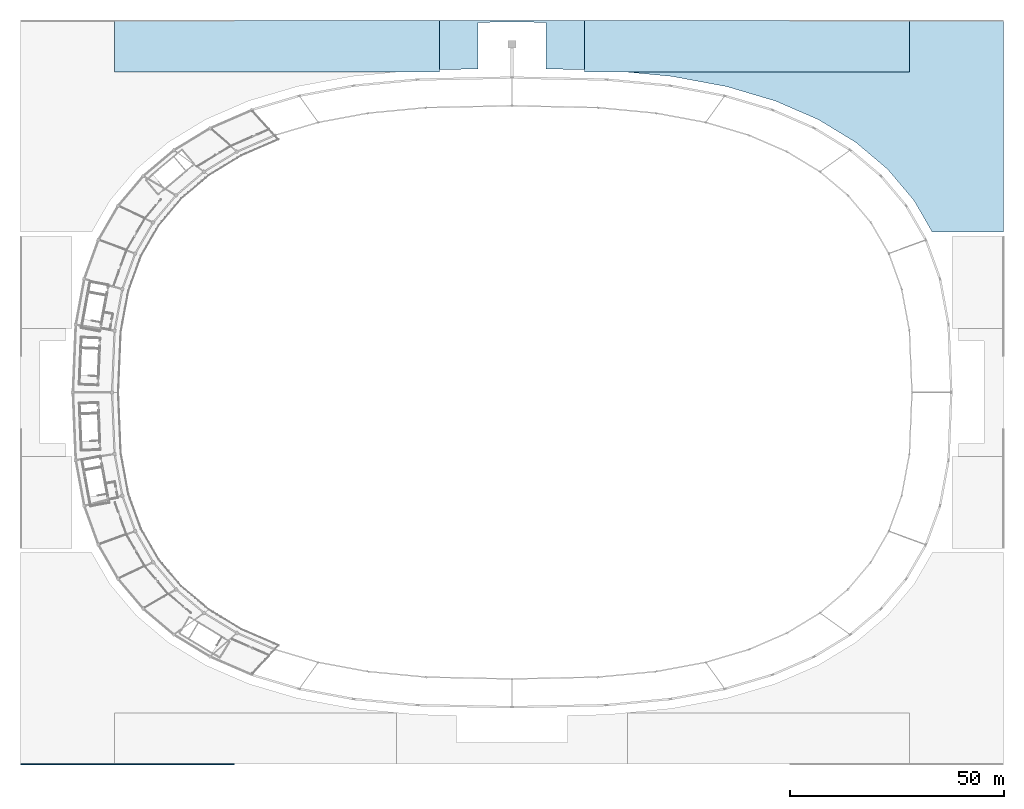
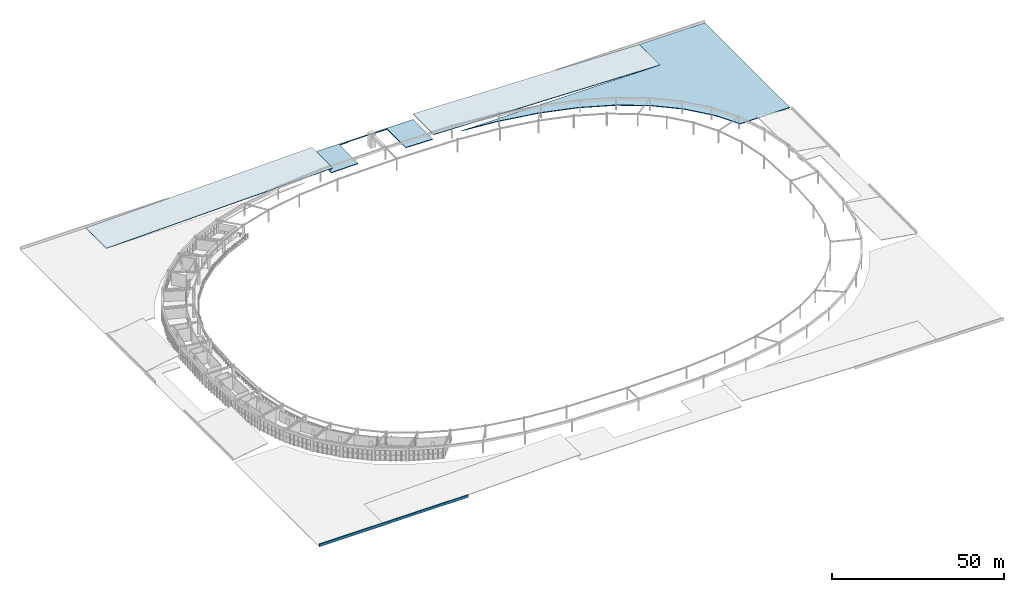
# One storey, part 36 of 45: 4 slabs, 1 wall, 1 element without a shape of its own.
"""IFC4 building model written with IfcOpenShell, lengths in metres."""

from ifc_helpers import new_model, si_unit, direction, frame, frame_2d, origin, place, context, subcontext, project, spatial, polyline, rectangle, outline, extrude, material, layer, layer_set, type_object, element, aggregate, save


model = new_model("IFC4")

# Units and contexts
model_context = context("Model", 3, precision=1e-05, world=origin(), true_north=direction((0.0, 1.0)))
body_context = subcontext(model_context, "Body", "Model", "MODEL_VIEW")
ifc_project = project(units=[si_unit("LENGTHUNIT", "METRE"), si_unit("AREAUNIT", "SQUARE_METRE"), si_unit("VOLUMEUNIT", "CUBIC_METRE"), si_unit("PLANEANGLEUNIT", "RADIAN"), si_unit("MASSUNIT", "GRAM", prefix="KILO")], contexts=[model_context])

# Site, building, storey
site_placement = place(None, origin())
site = spatial("IfcSite", under=ifc_project, at=site_placement, CompositionType="ELEMENT")
building_placement = place(site_placement, origin())
building = spatial("IfcBuilding", under=site, at=building_placement, Name="Mphavela Belvedere Stadium", CompositionType="ELEMENT")
storey_placement = place(building_placement, frame((0.0, 0.0, 24.0)))
storey = spatial("IfcBuildingStorey", under=building, at=storey_placement, Name="L05", CompositionType="ELEMENT", Elevation=24.0)

# Roof, slabs
ifc_material_1 = material(Name="Standing-seam zinc roofing membrane")
roof_type = type_object("IfcRoofType", Name="ROOF-PEDIMENT-ASSY", PredefinedType="GABLE_ROOF", material=ifc_material_1)
roof_placement = place(storey_placement, origin())
roof = element("IfcRoof", 1, at=roof_placement, inside=storey, type_object=roof_type, Name="North Mast and Ceremonial End Forecourt classical pediment roof", PredefinedType="GABLE_ROOF")
ifc_material_2 = material(Name="Standing-seam zinc insulated roof over Concrete C40/50", Category="concrete")
ifc_layer_1 = layer(ifc_material_2, 0.239990234375)
ifc_layer_set_1 = layer_set([ifc_layer_1], Name="Standing-seam zinc insulated roof over Concrete C40/50")
slab_type = type_object("IfcSlabType", Name="SLB-ROOF-ZINC-240", PredefinedType="ROOF", material=ifc_layer_set_1)
slab_1_placement = place(storey_placement, origin())
slab_1 = element("IfcSlab", 2, at=slab_1_placement, type_object=slab_type, Name="North Mast and Ceremonial End Forecourt insulated roof deck 1", PredefinedType="ROOF", context=body_context, shape_type="SweptSolid", body=[
    extrude(outline(polyline([(230.0, 124.5), (213.346435546875, 124.5), (209.147216796875, 131.7626953125), (209.042236328125, 131.9267578125), (208.92333984375, 132.080810546875), (203.019287109375, 139.072998046875), (202.893798828125, 139.20947265625), (202.757080078125, 139.3349609375), (195.574462890625, 145.39599609375), (195.4404296875, 145.500244140625), (195.299072265625, 145.593994140625), (186.839599609375, 150.740478515625), (186.5712890625, 150.87939453125), (176.8125, 155.10986328125), (176.563720703125, 155.2001953125), (165.42724609375, 158.505859375), (165.2041015625, 158.559814453125), (152.4755859375, 160.93017578125), (152.281494140625, 160.95751953125), (141.348876953125, 162.0), (208.0, 162.0), (208.0, 174.0), (230.0, 174.0), (230.0, 124.5)])), origin(), (0.0, 0.0, 1.0), 0.239990234375),
])
slab_2_placement = place(storey_placement, origin())
slab_2 = element("IfcSlab", 3, at=slab_2_placement, type_object=slab_type, Name="North Mast and Ceremonial End Forecourt insulated roof deck 2", PredefinedType="ROOF", context=body_context, shape_type="SweptSolid", body=[
    extrude(outline(polyline([(123.0, 162.6982421875), (123.0, 173.5), (120.199951171875, 173.5), (120.199951171875, 173.699951171875), (109.800048828125, 173.699951171875), (109.800048828125, 173.5), (107.0, 173.5), (107.0, 162.6982421875), (98.0, 162.50439453125), (98.0, 174.0), (132.0, 174.0), (132.0, 162.50439453125), (123.0, 162.6982421875)])), origin(), (0.0, 0.0, 1.0), 0.239990234375),
])
slab_3_placement = place(storey_placement, frame((22.0, 162.0, 0.25), z_axis=(-0.025648811413, 0.0, 0.999671015121), x_axis=(0.999671015121, 0.0, 0.025648811413)))
slab_3 = element("IfcSlab", 4, at=slab_3_placement, type_object=slab_type, Name="North Mast and Ceremonial End Forecourt classical pediment slope W", PredefinedType="ROOF", context=body_context, shape_type="SweptSolid", body=[
    extrude(outline(polyline([(0.0, 0.0), (76.02501107906987, 0.0), (76.02501107906987, 11.999999999999998), (0.0, 11.999999999999998), (0.0, 0.0)])), origin(), (0.0, 0.0, -1.0), 0.239990234375),
])
slab_4_placement = place(storey_placement, frame((132.0, 162.0, 2.199951171875), z_axis=(0.025648811413, 0.0, 0.999671015121), x_axis=(0.999671015121, 0.0, -0.025648811413)))
slab_4 = element("IfcSlab", 5, at=slab_4_placement, type_object=slab_type, Name="North Mast and Ceremonial End Forecourt classical pediment slope E", PredefinedType="ROOF", context=body_context, shape_type="SweptSolid", body=[
    extrude(outline(polyline([(0.0, 0.0), (76.02501107906987, 0.0), (76.02501107906987, 11.999999999999998), (0.0, 11.999999999999998), (0.0, 0.0)])), origin(), (0.0, 0.0, -1.0), 0.239990234375),
])
aggregate(roof, [slab_1, slab_2, slab_3, slab_4])

# Wall
ifc_material_3 = material(Name="Honed ashlar limestone coping wall", Category="masonry")
ifc_layer_2 = layer(ifc_material_3, 0.280029296875)
ifc_layer_set_2 = layer_set([ifc_layer_2], Name="Honed ashlar limestone coping wall")
wall_type = type_object("IfcWallType", Name="WAL-PARAPET-280", PredefinedType="PARAPET", material=ifc_layer_set_2)
wall_placement = place(storey_placement, frame((0.0, 0.0, 0.239990234375), z_axis=(0.0, 0.0, 1.0), x_axis=(1.0, 0.0, 0.0)))
element("IfcWall", 6, at=wall_placement, inside=storey, type_object=wall_type, Name="South Axial Triumphal Peristyle Portico classical eaves parapet A", PredefinedType="PARAPET", context=body_context, shape_type="SweptSolid", body=[
    extrude(rectangle(XDim=50.0, YDim=0.280029296875, at=frame_2d((25.0, 0.0))), origin(), (0.0, 0.0, 1.0), 0.89990234375),
])

save(model, "model.ifc")
